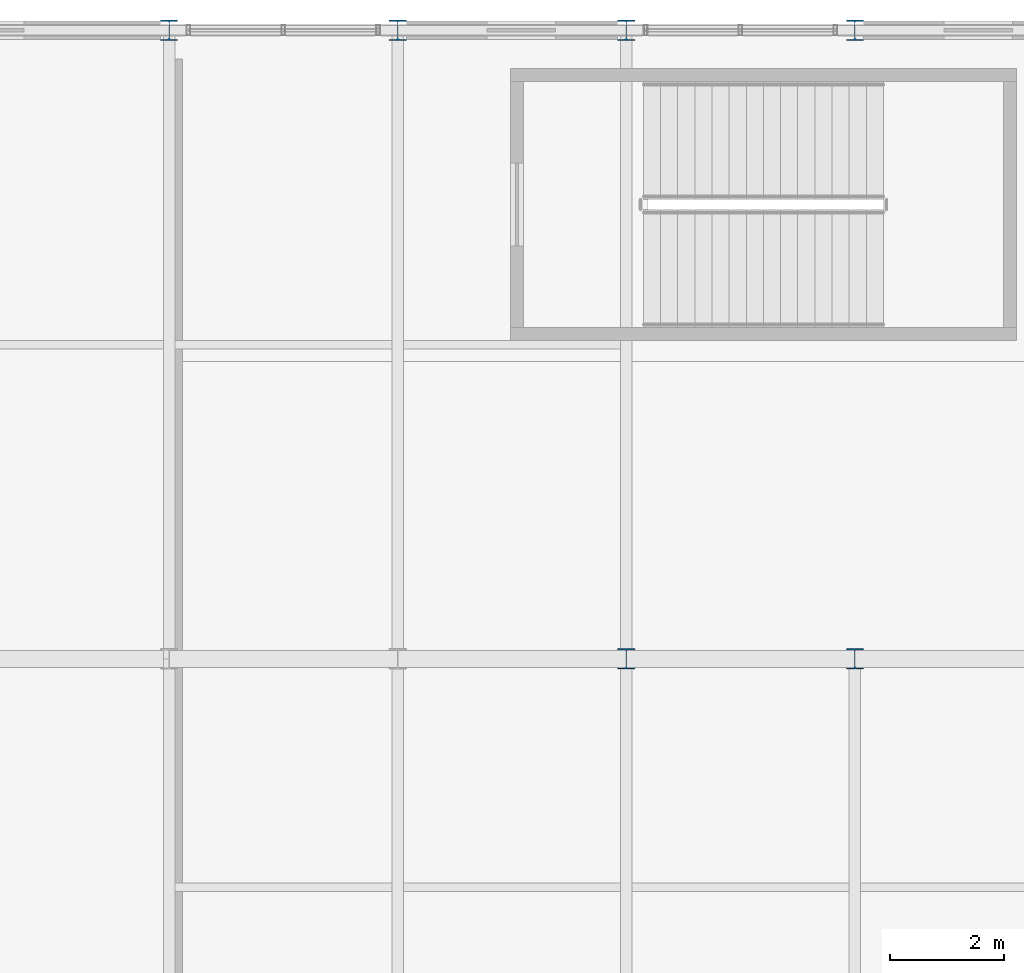
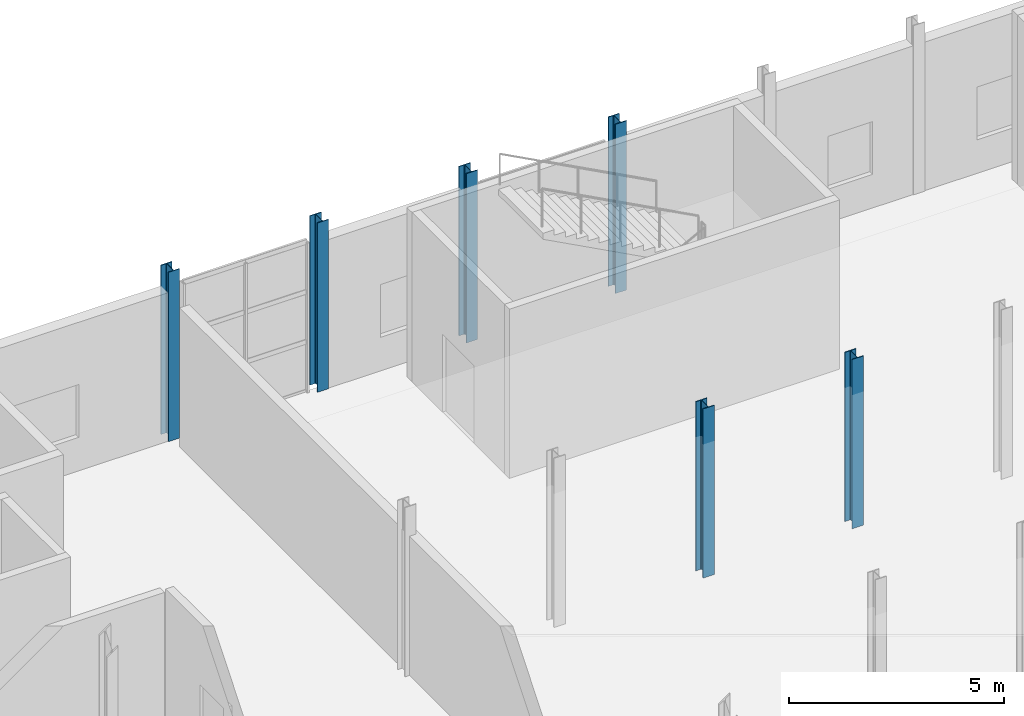
# One storey, part 14 of 143: 6 columns.
"""IFC4 building model written with IfcOpenShell, lengths in metres."""

import ifcopenshell
import ifcopenshell.guid

model = None  # the IFC model being written
_history = None  # IfcOwnerHistory: only IFC2X3 demands one
_inside = {}  # id of a spatial element -> (the spatial element, [elements in it])
_under = {}  # id of a project, library or spatial element -> (it, [spatial elements below it])
_declared = {}  # id of a project -> (the project, [libraries it declares])
_typed = {}  # id of a type object -> (the type object, [elements of that type])
_made_of = {}  # id of a material, layer set ... -> (it, [elements and type objects made of it])


def new_model(schema):
    """Start an empty IFC model of exactly this schema.

    Asked for "IFC4X3", IfcOpenShell would pick the latest addendum, in which some entities
    have other attributes; the version numbers below select the first issue.
    IFC2X3 requires an IfcOwnerHistory on every rooted entity: one is made here for all.
    """
    global model, _history
    if schema == "IFC4X3":
        model = ifcopenshell.file(schema_version=(4, 3, 0, 0))
    else:
        model = ifcopenshell.file(schema=schema)
    _inside.clear()
    _under.clear()
    _declared.clear()
    _typed.clear()
    _made_of.clear()
    _history = None
    if model.schema == "IFC2X3":
        org = make("IfcOrganization", Name="unknown")
        user = make(
            "IfcPersonAndOrganization",
            ThePerson=make("IfcPerson", FamilyName="unknown"),
            TheOrganization=org,
        )
        app = make(
            "IfcApplication",
            ApplicationDeveloper=org,
            Version="unknown",
            ApplicationFullName="unknown",
            ApplicationIdentifier="unknown",
        )
        _history = make(
            "IfcOwnerHistory",
            OwningUser=user,
            OwningApplication=app,
            ChangeAction="ADDED",
            CreationDate=0,
        )
    return model


def make(cls, **values):
    """One entity of the class cls with the attributes given. An attribute that is None is left unset."""
    return model.create_entity(
        cls, **{name: value for name, value in values.items() if value is not None}
    )


def rooted(cls, **values):
    """An entity with a GlobalId (a new one), such as an element, a storey or a relation."""
    return make(cls, GlobalId=ifcopenshell.guid.new(), OwnerHistory=_history, **values)


def si_unit(unit_type, name, prefix=None):
    """IfcSIUnit, for example si_unit("LENGTHUNIT", "METRE", prefix="MILLI")."""
    return make("IfcSIUnit", UnitType=unit_type, Prefix=prefix, Name=name)


def derived_unit(unit_type, elements):
    """IfcDerivedUnit: a product of units, each with its exponent."""
    return make(
        "IfcDerivedUnit",
        Elements=[
            make("IfcDerivedUnitElement", Unit=unit, Exponent=power)
            for unit, power in elements
        ],
        UnitType=unit_type,
    )


def assignment(units):
    """IfcUnitAssignment: the units of a project."""
    return None if units is None else make("IfcUnitAssignment", Units=units)


def point(xyz):
    """IfcCartesianPoint."""
    return None if xyz is None else make("IfcCartesianPoint", Coordinates=xyz)


def direction(xyz):
    """IfcDirection."""
    return None if xyz is None else make("IfcDirection", DirectionRatios=xyz)


def frame(location, z_axis=None, x_axis=None):
    """IfcAxis2Placement3D, a coordinate frame: its origin and axes. An axis left out is left unset."""
    return make(
        "IfcAxis2Placement3D",
        Location=point(location),
        Axis=direction(z_axis),
        RefDirection=direction(x_axis),
    )


def frame_2d(location, x_axis=None):
    """IfcAxis2Placement2D, a coordinate frame in the plane: its origin and x axis."""
    return make(
        "IfcAxis2Placement2D", Location=point(location), RefDirection=direction(x_axis)
    )


def origin():
    """The frame at (0, 0, 0) with its axes left unset."""
    return frame((0.0, 0.0, 0.0))


def origin_2d():
    """The frame at (0, 0) in the plane with its x axis left unset."""
    return frame_2d((0.0, 0.0))


def place(relative_to, where):
    """IfcLocalPlacement: puts the frame where relative to a parent placement (None: the world)."""
    return make(
        "IfcLocalPlacement", PlacementRelTo=relative_to, RelativePlacement=where
    )


def context(
    kind, dimensions, precision=None, world=None, true_north=None, identifier=None
):
    """IfcGeometricRepresentationContext, for example the 3D "Model" context."""
    return make(
        "IfcGeometricRepresentationContext",
        ContextIdentifier=identifier,
        ContextType=kind,
        CoordinateSpaceDimension=dimensions,
        Precision=precision,
        WorldCoordinateSystem=world,
        TrueNorth=true_north,
    )


def subcontext(parent, identifier, kind, view, scale=None):
    """IfcGeometricRepresentationSubContext, for example "Body" below "Model"."""
    return make(
        "IfcGeometricRepresentationSubContext",
        ContextIdentifier=identifier,
        ContextType=kind,
        ParentContext=parent,
        TargetScale=scale,
        TargetView=view,
    )


def project(units=None, contexts=None):
    """IfcProject with its units and contexts."""
    return rooted(
        "IfcProject",
        Name="project",
        RepresentationContexts=contexts,
        UnitsInContext=assignment(units),
    )


def spatial(cls, under=None, at=None, **own):
    """A site, building, storey or space (cls), placed at a placement, below another one or the project."""
    s = rooted(cls, ObjectPlacement=at, **own)
    if under is not None:
        _under.setdefault(under.id(), (under, []))[1].append(s)
    return s


def profile(cls, at=None, kind="AREA", **sizes):
    """A parametric profile (cls). Its sizes go by their IFC names, for example OverallWidth=200.0."""
    return make(cls, ProfileType=kind, Position=at, **sizes)


def i_section(**sizes):
    """IfcIShapeProfileDef."""
    return profile("IfcIShapeProfileDef", **sizes)


def extrude(swept, where, along, depth):
    """IfcExtrudedAreaSolid: the profile swept, set in the frame where, extruded along a direction by depth."""
    return make(
        "IfcExtrudedAreaSolid",
        SweptArea=swept,
        Position=where,
        ExtrudedDirection=direction(along),
        Depth=depth,
    )


def shape(context_of_items, identifier, shape_type, items):
    """IfcShapeRepresentation: the items that make up one representation, for example the "Body"."""
    return make(
        "IfcShapeRepresentation",
        ContextOfItems=context_of_items,
        RepresentationIdentifier=identifier,
        RepresentationType=shape_type,
        Items=items,
    )


def material(Name=None, Category=None):
    """IfcMaterial."""
    return make("IfcMaterial", Name=Name, Category=Category)


def material_profile(
    of_material, cross_section, Name=None, Category=None, Priority=None
):
    """IfcMaterialProfile: a cross section and its material."""
    return make(
        "IfcMaterialProfile",
        Name=Name,
        Material=of_material,
        Profile=cross_section,
        Priority=Priority,
        Category=Category,
    )


def profile_set(profiles, Name=None, composite=None):
    """IfcMaterialProfileSet."""
    return make(
        "IfcMaterialProfileSet",
        Name=Name,
        MaterialProfiles=profiles,
        CompositeProfile=composite,
    )


def made_of(thing, what):
    """Note that an element or type object is made of a material, layer set ...; save() writes the relation."""
    if what is not None:
        _made_of.setdefault(what.id(), (what, []))[1].append(thing)
    return thing


def type_object(cls, material=None, **own):
    """A type object (cls), such as IfcWallType, which elements share."""
    return made_of(rooted(cls, **own), material)


def element(
    cls,
    number,
    at=None,
    inside=None,
    cuts=None,
    type_object=None,
    material=None,
    context=None,
    identifier="Body",
    shape_type=None,
    held_by="IfcProductDefinitionShape",
    body=None,
    shapes=None,
    **own,
):
    """One element of the class cls, such as IfcWall. Its Tag is "e" and its number.

    at: its placement. inside: the storey or other place that contains it. cuts: it is an
    opening in that element (IfcRelVoidsElement). A single representation is given by context,
    identifier, shape_type and body (its items); several are given by shapes. held_by: the class
    of the entity that holds the representations. save() writes the other relations.
    """
    e = rooted(cls, Tag="e%d" % number, ObjectPlacement=at, **own)
    if body is not None:
        shapes = [shape(context, identifier, shape_type, body)]
    if shapes is not None:
        e.Representation = make(held_by, Representations=shapes)
    if inside is not None:
        _inside.setdefault(inside.id(), (inside, []))[1].append(e)
    if cuts is not None:
        rooted(
            "IfcRelVoidsElement", RelatingBuildingElement=cuts, RelatedOpeningElement=e
        )
    if type_object is not None:
        _typed.setdefault(type_object.id(), (type_object, []))[1].append(e)
    return made_of(e, material)


def aggregate(whole, parts):
    """IfcRelAggregates: a whole, such as a stair, and the parts it consists of."""
    return rooted("IfcRelAggregates", RelatingObject=whole, RelatedObjects=parts)


def save(model, path):
    """Write the relations noted so far, then the file.

    IfcRelAggregates (storeys below a building ...), IfcRelContainedInSpatialStructure (elements
    in a storey), IfcRelDefinesByType, IfcRelAssociatesMaterial and IfcRelDeclares: one each for
    every whole, place, type object, material and project.
    """
    for whole, parts in _under.values():
        aggregate(whole, parts)
    for where, things in _inside.values():
        rooted(
            "IfcRelContainedInSpatialStructure",
            RelatedElements=things,
            RelatingStructure=where,
        )
    for kind, things in _typed.values():
        rooted("IfcRelDefinesByType", RelatedObjects=things, RelatingType=kind)
    for what, things in _made_of.values():
        rooted("IfcRelAssociatesMaterial", RelatedObjects=things, RelatingMaterial=what)
    for by, libraries in _declared.values():
        rooted("IfcRelDeclares", RelatingContext=by, RelatedDefinitions=libraries)
    model.write(path)


model = new_model("IFC4")

# Units and contexts
model_context = context("Model", 3, precision=1e-05, world=origin(), true_north=direction((0.0, 1.0)))
body_context = subcontext(model_context, "Body", "Model", "MODEL_VIEW")
ifc_project = project(units=[si_unit("LENGTHUNIT", "METRE"), si_unit("AREAUNIT", "SQUARE_METRE"), si_unit("VOLUMEUNIT", "CUBIC_METRE"), si_unit("PLANEANGLEUNIT", "RADIAN"), si_unit("MASSUNIT", "GRAM", prefix="KILO"), derived_unit("THERMALTRANSMITTANCEUNIT", [(si_unit("POWERUNIT", "WATT"), 1), (si_unit("LENGTHUNIT", "METRE"), -2), (si_unit("THERMODYNAMICTEMPERATUREUNIT", "KELVIN"), -1)])], contexts=[model_context])

# Site, building, storey
site_placement = place(None, origin())
site = spatial("IfcSite", under=ifc_project, at=site_placement, CompositionType="ELEMENT")
building_placement = place(site_placement, origin())
building = spatial("IfcBuilding", under=site, at=building_placement, Name="Keldorne Ridge Multi-Sports Centre", CompositionType="ELEMENT")
storey_placement = place(building_placement, frame((0.0, 0.0, 4.800048828125)))
storey = spatial("IfcBuildingStorey", under=building, at=storey_placement, Name="L01", CompositionType="ELEMENT", Elevation=4.800048828125)

# Columns
ifc_material = material(Name="Steel S355", Category="steel")
ifc_material_profile = material_profile(ifc_material, i_section(OverallWidth=0.300048828125, OverallDepth=0.360107421875, WebThickness=0.012451171875, FlangeThickness=0.0224609375, FilletRadius=0.027099609375, at=origin_2d()), Name="HEB 360")
ifc_profile_set = profile_set([ifc_material_profile], Name="Steel S355")
column_type = type_object("IfcColumnType", Name="COL-C-10", PredefinedType="COLUMN", material=ifc_profile_set)
for number, where, z_axis, x_axis, name in (
    (1, (120.0, 117.0, 0.0), (0.0, 0.0, 1.0), (1.0, 0.0, 0.0), "Structural column V5-C-03-07 on L01"),
    (2, (124.0, 117.0, 0.0), (0.0, 0.0, 1.0), (1.0, 0.0, 0.0), "Structural column V5-C-04-07 on L01"),
    (3, (128.0, 106.0, 0.0), (0.0, 0.0, 1.0), (1.0, 0.0, 0.0), "Structural column V5-C-05-06 on L01"),
    (4, (128.0, 117.0, 0.0), (0.0, 0.0, 1.0), (1.0, 0.0, 0.0), "Structural column V5-C-05-07 on L01"),
    (5, (132.0, 106.0, 0.0), (0.0, 0.0, 1.0), (1.0, 0.0, 0.0), "Structural column V5-C-06-06 on L01"),
    (6, (132.0, 117.0, 0.0), (0.0, 0.0, 1.0), (1.0, 0.0, 0.0), "Structural column V5-C-06-07 on L01"),
):
    element("IfcColumn", number, at=place(storey_placement, frame(where, z_axis=z_axis, x_axis=x_axis)), inside=storey, type_object=column_type, Name=name, PredefinedType="COLUMN", context=body_context, shape_type="SweptSolid", body=[
        extrude(i_section(OverallWidth=0.300048828125, OverallDepth=0.360107421875, WebThickness=0.012451171875, FlangeThickness=0.0224609375, FilletRadius=0.027099609375, at=origin_2d()), origin(), (0.0, 0.0, 1.0), 4.800048828125),
    ])

save(model, "model.ifc")
